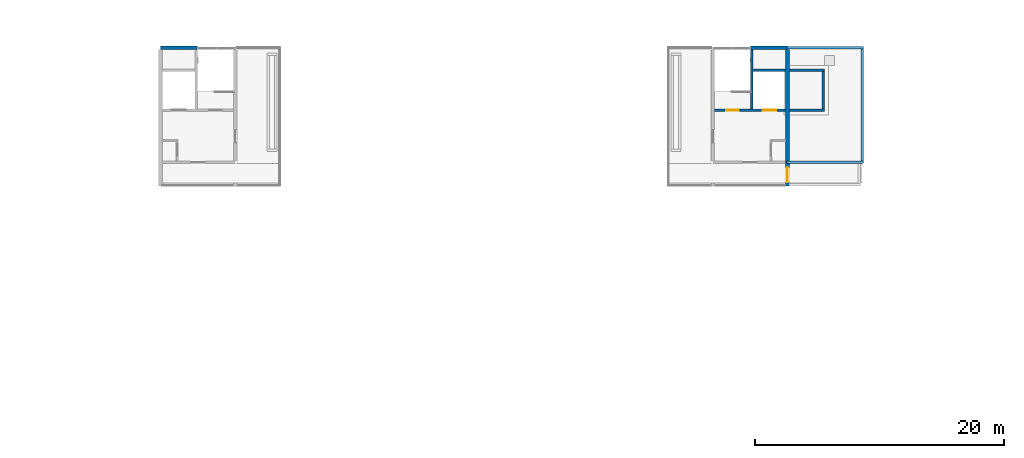
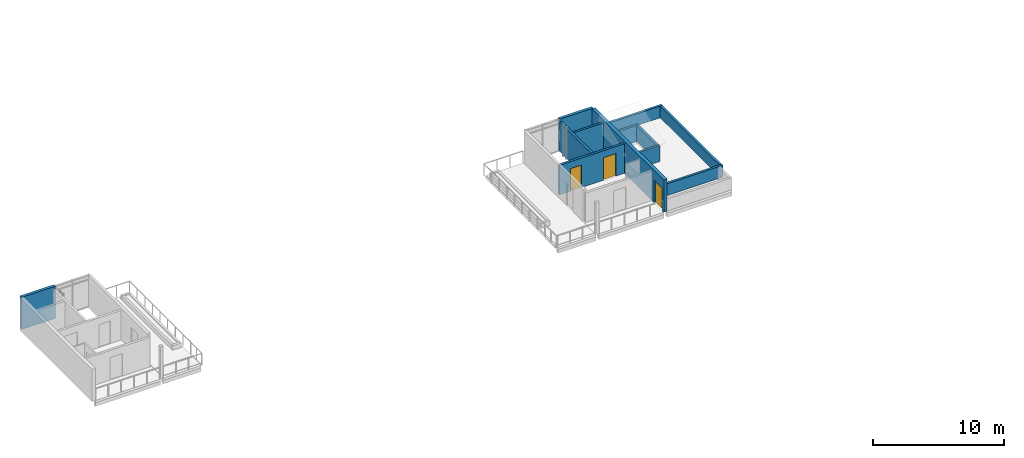
# One storey, part 39 of 78: 12 walls, 3 doors, 3 openings.
"""IFC4 building model written with IfcOpenShell, lengths in metres."""

from ifc_helpers import new_model, si_unit, direction, frame, frame_2d, origin, place, context, subcontext, project, spatial, rectangle, extrude, material, layer, layer_set, type_object, element, fill, save


model = new_model("IFC4")

# Units and contexts
model_context = context("Model", 3, precision=1e-05, world=origin(), true_north=direction((0.0, 1.0)))
body_context = subcontext(model_context, "Body", "Model", "MODEL_VIEW")
ifc_project = project(units=[si_unit("LENGTHUNIT", "METRE"), si_unit("AREAUNIT", "SQUARE_METRE"), si_unit("VOLUMEUNIT", "CUBIC_METRE"), si_unit("PLANEANGLEUNIT", "RADIAN"), si_unit("MASSUNIT", "GRAM", prefix="KILO")], contexts=[model_context])

# Site, building, storey
site_placement = place(None, origin())
site = spatial("IfcSite", under=ifc_project, at=site_placement, CompositionType="ELEMENT")
building_placement = place(site_placement, origin())
building = spatial("IfcBuilding", under=site, at=building_placement, Name="Ridgestep Commons", CompositionType="ELEMENT")
storey_placement = place(building_placement, frame((0.0, 0.0, 30.0)))
storey = spatial("IfcBuildingStorey", under=building, at=storey_placement, Name="L10", CompositionType="ELEMENT", Elevation=30.0)

# Wall, openings, doors
ifc_material_1 = material(Name="Concrete C30/37", Category="concrete")
ifc_layer_1 = layer(ifc_material_1, 0.199951171875)
ifc_layer_set_1 = layer_set([ifc_layer_1], Name="Core wall 200")
wall_type_1 = type_object("IfcWallType", Name="Core wall 200", PredefinedType="SHEAR", material=ifc_layer_set_1)
wall_1_placement = place(storey_placement, frame((73.324951171875, 72.10009765625, 0.0), z_axis=(0.0, 0.0, 1.0), x_axis=(1.0, 0.0, 0.0)))
wall_1 = element("IfcWall", 1, at=wall_1_placement, inside=storey, type_object=wall_type_1, Name="Core lobby wall B4C L10", PredefinedType="SHEAR", context=body_context, shape_type="SweptSolid", body=[
    extrude(rectangle(XDim=5.72509765625, YDim=0.199951171875, at=frame_2d((2.862548828125, 0.0))), origin(), (0.0, 0.0, 1.0), 2.75),
])
opening_1_placement = place(wall_1_placement, frame((0.949951171875, 0.0, 0.0)))
opening_1 = element("IfcOpeningElement", 2, at=opening_1_placement, cuts=wall_1, Name="Opening B4C/10/2", PredefinedType="OPENING", context=body_context, shape_type="SweptSolid", body=[
    extrude(rectangle(XDim=1.0, YDim=2.10009765625, at=frame_2d((0.5, 1.050048828125))), frame((0.0, 0.10986328125, 0.0), z_axis=(0.0, -1.0, 0.0), x_axis=(1.0, 0.0, 0.0)), (0.0, 0.0, 1.0), 0.219970703125),
])
opening_2_placement = place(wall_1_placement, frame((3.862548828125, 0.0, 0.0)))
opening_2 = element("IfcOpeningElement", 3, at=opening_2_placement, cuts=wall_1, Name="Opening B4C/10/3", PredefinedType="OPENING", context=body_context, shape_type="SweptSolid", body=[
    extrude(rectangle(XDim=1.10009765625, YDim=2.10009765625, at=frame_2d((0.550048828125, 1.050048828125))), frame((0.0, 0.10986328125, 0.0), z_axis=(0.0, -1.0, 0.0), x_axis=(1.0, 0.0, 0.0)), (0.0, 0.0, 1.0), 0.219970703125),
])
ifc_material_2 = material(Name="Stainless steel", Category="steel")
door_type_1 = type_object("IfcDoorType", Name="Lift landing door 1100 x 2100 FD60", OperationType="DOUBLE_DOOR_SLIDING", PredefinedType="DOOR", material=ifc_material_2)
door_1_placement = place(opening_2_placement, origin())
door_1 = element("IfcDoor", 4, at=door_1_placement, inside=storey, type_object=door_type_1, Name="Landing door LD B4C L10", OperationType="DOUBLE_DOOR_SLIDING", OverallHeight=2.10009765625, OverallWidth=1.10009765625, PredefinedType="DOOR", context=body_context, shape_type="SweptSolid", body=[
    extrude(rectangle(XDim=1.10009765625, YDim=2.10009765625, at=frame_2d((0.550048828125, 1.050048828125))), frame((0.0, 0.02490234375, 0.0), z_axis=(0.0, -1.0, 0.0), x_axis=(1.0, 0.0, 0.0)), (0.0, 0.0, 1.0), 0.050048828125),
])
fill(opening_2, door_1)
ifc_material_3 = material(Name="Steel fire door", Category="steel")
door_type_2 = type_object("IfcDoorType", Name="Stair door 1000 x 2100 FD60", OperationType="NOTDEFINED", PredefinedType="DOOR", material=ifc_material_3)
door_2_placement = place(opening_1_placement, origin())
door_2 = element("IfcDoor", 5, at=door_2_placement, inside=storey, type_object=door_type_2, Name="Stair door B4C/10/2", OperationType="SINGLE_SWING_RIGHT", OverallHeight=2.10009765625, OverallWidth=1.0, PredefinedType="DOOR", context=body_context, shape_type="SweptSolid", body=[
    extrude(rectangle(XDim=1.0, YDim=2.10009765625, at=frame_2d((0.5, 1.050048828125))), frame((0.0, 0.02490234375, 0.0), z_axis=(0.0, -1.0, 0.0), x_axis=(1.0, 0.0, 0.0)), (0.0, 0.0, 1.0), 0.050048828125),
])
fill(opening_1, door_2)

# Walls
wall_2_placement = place(storey_placement, frame((76.324951171875, 72.199951171875, 0.0), z_axis=(0.0, 0.0, 1.0), x_axis=(0.0, 1.0, 0.0)))
element("IfcWall", 6, at=wall_2_placement, inside=storey, type_object=wall_type_1, Name="Core stair wall B4C L10", PredefinedType="SHEAR", context=body_context, shape_type="SweptSolid", body=[
    extrude(rectangle(XDim=4.800048828125, YDim=0.199951171875, at=frame_2d((2.39990234375, 0.0))), origin(), (0.0, 0.0, 1.0), 2.75),
])
wall_3_placement = place(storey_placement, frame((76.425048828125, 75.300048828125, 0.0), z_axis=(0.0, 0.0, 1.0), x_axis=(1.0, 0.0, 0.0)))
element("IfcWall", 7, at=wall_3_placement, inside=storey, type_object=wall_type_1, Name="Core duct wall B4C L10", PredefinedType="SHEAR", context=body_context, shape_type="SweptSolid", body=[
    extrude(rectangle(XDim=2.625, YDim=0.199951171875, at=frame_2d((1.3125, 0.0))), origin(), (0.0, 0.0, 1.0), 2.75),
])

# Wall, opening, door
ifc_material_4 = material(Name="Precast concrete C40/50", Category="concrete")
ifc_layer_2 = layer(ifc_material_4, 0.300048828125)
ifc_layer_set_2 = layer_set([ifc_layer_2], Name="Exposed division wall 300")
wall_type_2 = type_object("IfcWallType", Name="Exposed division wall 300", PredefinedType="SHEAR", material=ifc_layer_set_2)
wall_4_placement = place(storey_placement, frame((79.199951171875, 66.0, 0.0), z_axis=(0.0, 0.0, 1.0), x_axis=(0.0, 1.0, 0.0)))
wall_4 = element("IfcWall", 8, at=wall_4_placement, inside=storey, type_object=wall_type_2, Name="Cross wall B-10-0792", PredefinedType="SHEAR", context=body_context, shape_type="SweptSolid", body=[
    extrude(rectangle(XDim=11.0, YDim=0.300048828125, at=frame_2d((5.5, 0.0))), origin(), (0.0, 0.0, 1.0), 3.0),
])
opening_3_placement = place(wall_4_placement, frame((0.300048828125, 0.0, 0.0)))
opening_3 = element("IfcOpeningElement", 9, at=opening_3_placement, cuts=wall_4, Name="Opening B/10/G0792", PredefinedType="OPENING", context=body_context, shape_type="SweptSolid", body=[
    extrude(rectangle(XDim=1.199951171875, YDim=2.10009765625, at=frame_2d((0.60009765625, 1.050048828125))), frame((0.0, 0.159912109375, 0.0), z_axis=(0.0, -1.0, 0.0), x_axis=(1.0, 0.0, 0.0)), (0.0, 0.0, 1.0), 0.320068359375),
])
ifc_material_5 = material(Name="Steel fire door", Category="steel")
door_type_3 = type_object("IfcDoorType", Name="Division fire door 1200 x 2100 EI 240", OperationType="DOUBLE_DOOR_SINGLE_SWING", PredefinedType="DOOR", material=ifc_material_5)
door_3_placement = place(opening_3_placement, origin())
door_3 = element("IfcDoor", 10, at=door_3_placement, inside=storey, type_object=door_type_3, Name="Division fire door B/10/G0792", OperationType="DOUBLE_DOOR_SINGLE_SWING", OverallHeight=2.10009765625, OverallWidth=1.199951171875, PredefinedType="DOOR", context=body_context, shape_type="SweptSolid", body=[
    extrude(rectangle(XDim=1.199951171875, YDim=2.10009765625, at=frame_2d((0.60009765625, 1.050048828125))), frame((0.0, 0.02490234375, 0.0), z_axis=(0.0, -1.0, 0.0), x_axis=(1.0, 0.0, 0.0)), (0.0, 0.0, 1.0), 0.050048828125),
])
fill(opening_3, door_3)

# Walls
ifc_material_6 = material(Name="Concrete C30/37", Category="concrete")
ifc_layer_3 = layer(ifc_material_6, 0.199951171875)
ifc_layer_set_3 = layer_set([ifc_layer_3], Name="Lift overrun wall 200")
wall_type_3 = type_object("IfcWallType", Name="Lift overrun wall 200", PredefinedType="SHEAR", material=ifc_layer_set_3)
for number, where, z_axis, x_axis, name in (
    (11, (79.35009765625, 72.10009765625, 0.0), (0.0, 0.0, 1.0), (1.0, 0.0, 0.0), "Lift overrun wall B5C"),
    (12, (79.35009765625, 75.300048828125, 0.0), (0.0, 0.0, 1.0), (1.0, 0.0, 0.0), "Lift overrun wall B5C"),
):
    element("IfcWall", number, at=place(storey_placement, frame(where, z_axis=z_axis, x_axis=x_axis)), inside=storey, type_object=wall_type_3, Name=name, PredefinedType="SHEAR", context=body_context, shape_type="SweptSolid", body=[
        extrude(rectangle(XDim=2.824951171875, YDim=0.199951171875, at=frame_2d((1.41259765625, 0.0))), origin(), (0.0, 0.0, 1.0), 1.5),
    ])
wall_5_placement = place(storey_placement, frame((82.074951171875, 72.199951171875, 0.0), z_axis=(0.0, 0.0, 1.0), x_axis=(0.0, 1.0, 0.0)))
element("IfcWall", 13, at=wall_5_placement, inside=storey, type_object=wall_type_3, Name="Lift overrun wall B5C", PredefinedType="SHEAR", context=body_context, shape_type="SweptSolid", body=[
    extrude(rectangle(XDim=3.0, YDim=0.199951171875, at=frame_2d((1.5, 0.0))), origin(), (0.0, 0.0, 1.0), 1.5),
])
ifc_material_7 = material(Name="Precast concrete C40/50", Category="concrete")
ifc_layer_4 = layer(ifc_material_7, 0.25)
ifc_layer_set_4 = layer_set([ifc_layer_4], Name="North facade panel 250")
wall_type_4 = type_object("IfcWallType", Name="North facade panel 250", PredefinedType="SOLIDWALL", material=ifc_layer_set_4)
for number, where, z_axis, x_axis, name in (
    (14, (28.800048828125, 77.125, 0.0), (0.0, 0.0, 1.0), (1.0, 0.0, 0.0), "North panel B2C L10"),
    (15, (76.22509765625, 77.125, 0.0), (0.0, 0.0, 1.0), (1.0, 0.0, 0.0), "North panel B4C L10"),
):
    element("IfcWall", number, at=place(storey_placement, frame(where, z_axis=z_axis, x_axis=x_axis)), inside=storey, type_object=wall_type_4, Name=name, PredefinedType="SOLIDWALL", context=body_context, shape_type="SweptSolid", body=[
        extrude(rectangle(XDim=2.974853515625, YDim=0.25, at=frame_2d((1.4873046875, 0.0))), origin(), (0.0, 0.0, 1.0), 3.0),
    ])
ifc_material_8 = material(Name="Precast concrete C40/50", Category="concrete")
ifc_layer_5 = layer(ifc_material_8, 0.199951171875)
ifc_layer_set_5 = layer_set([ifc_layer_5], Name="Parapet wall 200")
wall_type_5 = type_object("IfcWallType", Name="Parapet wall 200", PredefinedType="PARAPET", material=ifc_layer_set_5)
for number, where, z_axis, x_axis, name in (
    (16, (79.10009765625, 77.125, 0.0), (0.0, 0.0, 1.0), (1.0, 0.0, 0.0), "Parapet B5C north"),
    (17, (79.10009765625, 67.89990234375, 0.0), (0.0, 0.0, 1.0), (1.0, 0.0, 0.0), "Parapet B5C south"),
):
    element("IfcWall", number, at=place(storey_placement, frame(where, z_axis=z_axis, x_axis=x_axis)), inside=storey, type_object=wall_type_5, Name=name, PredefinedType="PARAPET", context=body_context, shape_type="SweptSolid", body=[
        extrude(rectangle(XDim=6.199951171875, YDim=0.199951171875, at=frame_2d((3.10009765625, 0.0))), origin(), (0.0, 0.0, 1.0), 1.10009765625),
    ])
wall_6_placement = place(storey_placement, frame((85.199951171875, 68.0, 0.0), z_axis=(0.0, 0.0, 1.0), x_axis=(0.0, 1.0, 0.0)))
element("IfcWall", 18, at=wall_6_placement, inside=storey, type_object=wall_type_5, Name="Parapet B5C east", PredefinedType="PARAPET", context=body_context, shape_type="SweptSolid", body=[
    extrude(rectangle(XDim=9.02490234375, YDim=0.199951171875, at=frame_2d((4.512451171875, 0.0))), origin(), (0.0, 0.0, 1.0), 1.10009765625),
])

save(model, "model.ifc")
